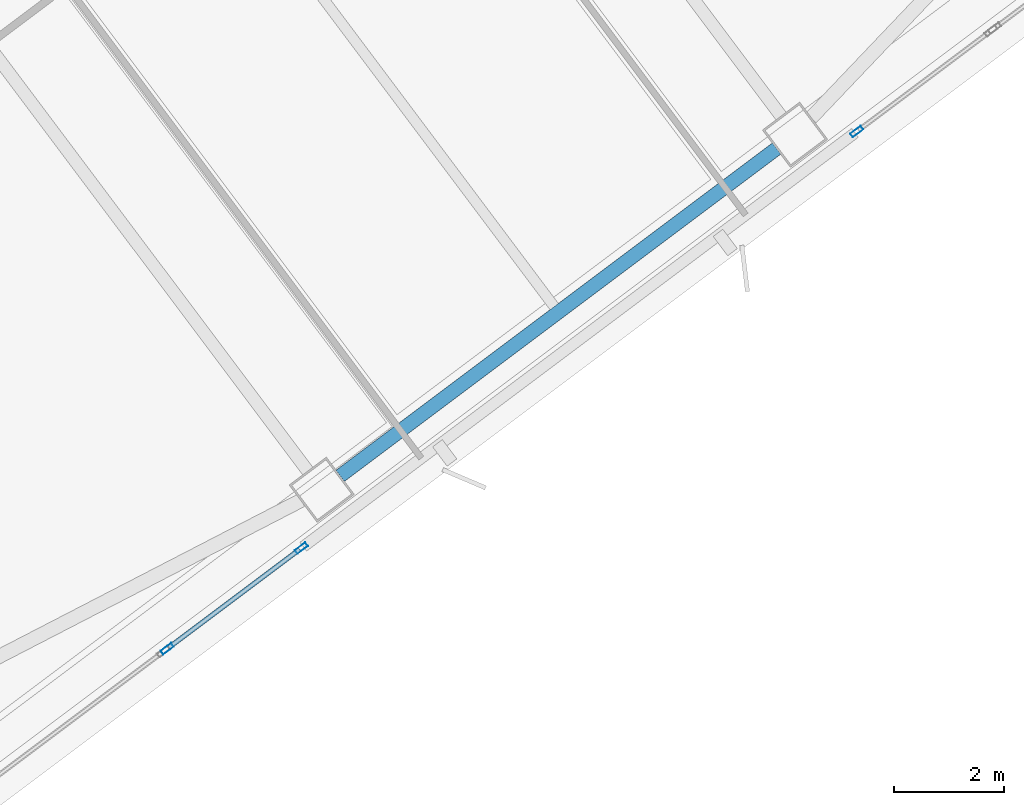
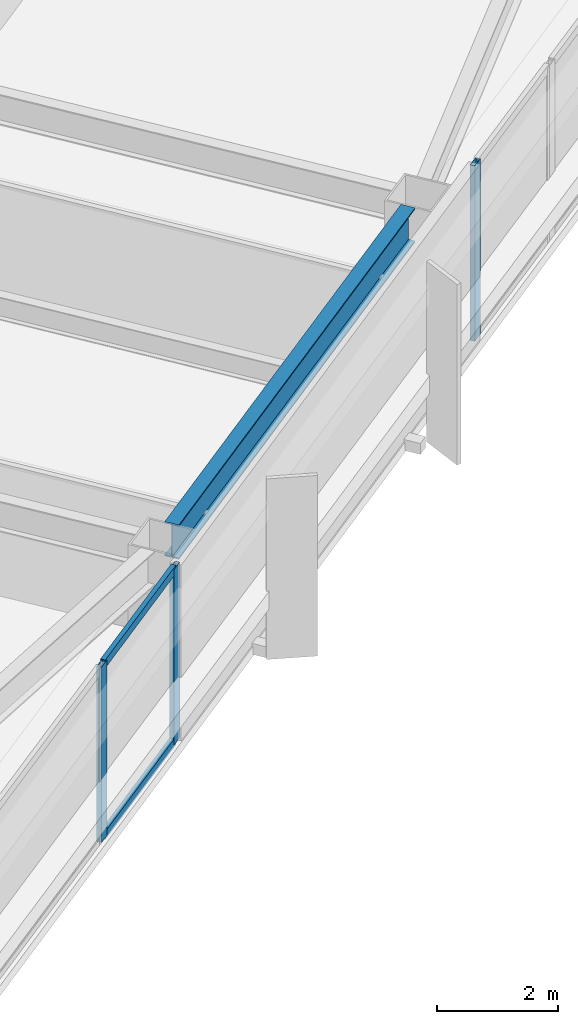
# One storey, part 28 of 62: 5 members, 1 beam, 2 elements without a shape of their own.
"""IFC4 building model written with IfcOpenShell, lengths in metres."""

import ifcopenshell
import ifcopenshell.guid

model = None  # the IFC model being written
_history = None  # IfcOwnerHistory: only IFC2X3 demands one
_inside = {}  # id of a spatial element -> (the spatial element, [elements in it])
_under = {}  # id of a project, library or spatial element -> (it, [spatial elements below it])
_declared = {}  # id of a project -> (the project, [libraries it declares])
_typed = {}  # id of a type object -> (the type object, [elements of that type])
_made_of = {}  # id of a material, layer set ... -> (it, [elements and type objects made of it])


def new_model(schema):
    """Start an empty IFC model of exactly this schema.

    Asked for "IFC4X3", IfcOpenShell would pick the latest addendum, in which some entities
    have other attributes; the version numbers below select the first issue.
    IFC2X3 requires an IfcOwnerHistory on every rooted entity: one is made here for all.
    """
    global model, _history
    if schema == "IFC4X3":
        model = ifcopenshell.file(schema_version=(4, 3, 0, 0))
    else:
        model = ifcopenshell.file(schema=schema)
    _inside.clear()
    _under.clear()
    _declared.clear()
    _typed.clear()
    _made_of.clear()
    _history = None
    if model.schema == "IFC2X3":
        org = make("IfcOrganization", Name="unknown")
        user = make(
            "IfcPersonAndOrganization",
            ThePerson=make("IfcPerson", FamilyName="unknown"),
            TheOrganization=org,
        )
        app = make(
            "IfcApplication",
            ApplicationDeveloper=org,
            Version="unknown",
            ApplicationFullName="unknown",
            ApplicationIdentifier="unknown",
        )
        _history = make(
            "IfcOwnerHistory",
            OwningUser=user,
            OwningApplication=app,
            ChangeAction="ADDED",
            CreationDate=0,
        )
    return model


def make(cls, **values):
    """One entity of the class cls with the attributes given. An attribute that is None is left unset."""
    return model.create_entity(
        cls, **{name: value for name, value in values.items() if value is not None}
    )


def rooted(cls, **values):
    """An entity with a GlobalId (a new one), such as an element, a storey or a relation."""
    return make(cls, GlobalId=ifcopenshell.guid.new(), OwnerHistory=_history, **values)


def si_unit(unit_type, name, prefix=None):
    """IfcSIUnit, for example si_unit("LENGTHUNIT", "METRE", prefix="MILLI")."""
    return make("IfcSIUnit", UnitType=unit_type, Prefix=prefix, Name=name)


def assignment(units):
    """IfcUnitAssignment: the units of a project."""
    return None if units is None else make("IfcUnitAssignment", Units=units)


def point(xyz):
    """IfcCartesianPoint."""
    return None if xyz is None else make("IfcCartesianPoint", Coordinates=xyz)


def direction(xyz):
    """IfcDirection."""
    return None if xyz is None else make("IfcDirection", DirectionRatios=xyz)


def frame(location, z_axis=None, x_axis=None):
    """IfcAxis2Placement3D, a coordinate frame: its origin and axes. An axis left out is left unset."""
    return make(
        "IfcAxis2Placement3D",
        Location=point(location),
        Axis=direction(z_axis),
        RefDirection=direction(x_axis),
    )


def frame_2d(location, x_axis=None):
    """IfcAxis2Placement2D, a coordinate frame in the plane: its origin and x axis."""
    return make(
        "IfcAxis2Placement2D", Location=point(location), RefDirection=direction(x_axis)
    )


def origin():
    """The frame at (0, 0, 0) with its axes left unset."""
    return frame((0.0, 0.0, 0.0))


def origin_2d():
    """The frame at (0, 0) in the plane with its x axis left unset."""
    return frame_2d((0.0, 0.0))


def place(relative_to, where):
    """IfcLocalPlacement: puts the frame where relative to a parent placement (None: the world)."""
    return make(
        "IfcLocalPlacement", PlacementRelTo=relative_to, RelativePlacement=where
    )


def context(
    kind, dimensions, precision=None, world=None, true_north=None, identifier=None
):
    """IfcGeometricRepresentationContext, for example the 3D "Model" context."""
    return make(
        "IfcGeometricRepresentationContext",
        ContextIdentifier=identifier,
        ContextType=kind,
        CoordinateSpaceDimension=dimensions,
        Precision=precision,
        WorldCoordinateSystem=world,
        TrueNorth=true_north,
    )


def subcontext(parent, identifier, kind, view, scale=None):
    """IfcGeometricRepresentationSubContext, for example "Body" below "Model"."""
    return make(
        "IfcGeometricRepresentationSubContext",
        ContextIdentifier=identifier,
        ContextType=kind,
        ParentContext=parent,
        TargetScale=scale,
        TargetView=view,
    )


def project(units=None, contexts=None):
    """IfcProject with its units and contexts."""
    return rooted(
        "IfcProject",
        Name="project",
        RepresentationContexts=contexts,
        UnitsInContext=assignment(units),
    )


def spatial(cls, under=None, at=None, **own):
    """A site, building, storey or space (cls), placed at a placement, below another one or the project."""
    s = rooted(cls, ObjectPlacement=at, **own)
    if under is not None:
        _under.setdefault(under.id(), (under, []))[1].append(s)
    return s


def profile(cls, at=None, kind="AREA", **sizes):
    """A parametric profile (cls). Its sizes go by their IFC names, for example OverallWidth=200.0."""
    return make(cls, ProfileType=kind, Position=at, **sizes)


def hollow_rectangle(**sizes):
    """IfcRectangleHollowProfileDef."""
    return profile("IfcRectangleHollowProfileDef", **sizes)


def i_section(**sizes):
    """IfcIShapeProfileDef."""
    return profile("IfcIShapeProfileDef", **sizes)


def extrude(swept, where, along, depth):
    """IfcExtrudedAreaSolid: the profile swept, set in the frame where, extruded along a direction by depth."""
    return make(
        "IfcExtrudedAreaSolid",
        SweptArea=swept,
        Position=where,
        ExtrudedDirection=direction(along),
        Depth=depth,
    )


def shape(context_of_items, identifier, shape_type, items):
    """IfcShapeRepresentation: the items that make up one representation, for example the "Body"."""
    return make(
        "IfcShapeRepresentation",
        ContextOfItems=context_of_items,
        RepresentationIdentifier=identifier,
        RepresentationType=shape_type,
        Items=items,
    )


def material(Name=None, Category=None):
    """IfcMaterial."""
    return make("IfcMaterial", Name=Name, Category=Category)


def material_profile(
    of_material, cross_section, Name=None, Category=None, Priority=None
):
    """IfcMaterialProfile: a cross section and its material."""
    return make(
        "IfcMaterialProfile",
        Name=Name,
        Material=of_material,
        Profile=cross_section,
        Priority=Priority,
        Category=Category,
    )


def profile_set(profiles, Name=None, composite=None):
    """IfcMaterialProfileSet."""
    return make(
        "IfcMaterialProfileSet",
        Name=Name,
        MaterialProfiles=profiles,
        CompositeProfile=composite,
    )


def made_of(thing, what):
    """Note that an element or type object is made of a material, layer set ...; save() writes the relation."""
    if what is not None:
        _made_of.setdefault(what.id(), (what, []))[1].append(thing)
    return thing


def type_object(cls, material=None, **own):
    """A type object (cls), such as IfcWallType, which elements share."""
    return made_of(rooted(cls, **own), material)


def element(
    cls,
    number,
    at=None,
    inside=None,
    cuts=None,
    type_object=None,
    material=None,
    context=None,
    identifier="Body",
    shape_type=None,
    held_by="IfcProductDefinitionShape",
    body=None,
    shapes=None,
    **own,
):
    """One element of the class cls, such as IfcWall. Its Tag is "e" and its number.

    at: its placement. inside: the storey or other place that contains it. cuts: it is an
    opening in that element (IfcRelVoidsElement). A single representation is given by context,
    identifier, shape_type and body (its items); several are given by shapes. held_by: the class
    of the entity that holds the representations. save() writes the other relations.
    """
    e = rooted(cls, Tag="e%d" % number, ObjectPlacement=at, **own)
    if body is not None:
        shapes = [shape(context, identifier, shape_type, body)]
    if shapes is not None:
        e.Representation = make(held_by, Representations=shapes)
    if inside is not None:
        _inside.setdefault(inside.id(), (inside, []))[1].append(e)
    if cuts is not None:
        rooted(
            "IfcRelVoidsElement", RelatingBuildingElement=cuts, RelatedOpeningElement=e
        )
    if type_object is not None:
        _typed.setdefault(type_object.id(), (type_object, []))[1].append(e)
    return made_of(e, material)


def aggregate(whole, parts):
    """IfcRelAggregates: a whole, such as a stair, and the parts it consists of."""
    return rooted("IfcRelAggregates", RelatingObject=whole, RelatedObjects=parts)


def save(model, path):
    """Write the relations noted so far, then the file.

    IfcRelAggregates (storeys below a building ...), IfcRelContainedInSpatialStructure (elements
    in a storey), IfcRelDefinesByType, IfcRelAssociatesMaterial and IfcRelDeclares: one each for
    every whole, place, type object, material and project.
    """
    for whole, parts in _under.values():
        aggregate(whole, parts)
    for where, things in _inside.values():
        rooted(
            "IfcRelContainedInSpatialStructure",
            RelatedElements=things,
            RelatingStructure=where,
        )
    for kind, things in _typed.values():
        rooted("IfcRelDefinesByType", RelatedObjects=things, RelatingType=kind)
    for what, things in _made_of.values():
        rooted("IfcRelAssociatesMaterial", RelatedObjects=things, RelatingMaterial=what)
    for by, libraries in _declared.values():
        rooted("IfcRelDeclares", RelatingContext=by, RelatedDefinitions=libraries)
    model.write(path)


model = new_model("IFC4")

# Units and contexts
model_context = context("Model", 3, precision=1e-05, world=origin(), true_north=direction((0.0, 1.0)))
body_context = subcontext(model_context, "Body", "Model", "MODEL_VIEW")
ifc_project = project(units=[si_unit("LENGTHUNIT", "METRE"), si_unit("AREAUNIT", "SQUARE_METRE"), si_unit("VOLUMEUNIT", "CUBIC_METRE"), si_unit("PLANEANGLEUNIT", "RADIAN"), si_unit("MASSUNIT", "GRAM", prefix="KILO")], contexts=[model_context])

# Site, building, storey
site_placement = place(None, origin())
site = spatial("IfcSite", under=ifc_project, at=site_placement, CompositionType="ELEMENT")
building_placement = place(site_placement, origin())
building = spatial("IfcBuilding", under=site, at=building_placement, Name="Tashvorn Skyway Center", CompositionType="ELEMENT")
storey_placement = place(building_placement, frame((0.0, 0.0, 28.14990234375)))
storey = spatial("IfcBuildingStorey", under=building, at=storey_placement, Name="L06", CompositionType="ELEMENT", Elevation=28.14990234375)

# Beam
ifc_material_1 = material(Name="Steel ASTM A992 Grade 50", Category="steel")
ifc_material_profile_1 = material_profile(ifc_material_1, i_section(OverallWidth=0.256103515625, OverallDepth=0.693115234375, WebThickness=0.014404296875, FlangeThickness=0.023681640625, at=origin_2d()), Name="W27X114")
ifc_profile_set_1 = profile_set([ifc_material_profile_1], Name="Steel ASTM A992 Grade 50")
beam_type = type_object("IfcBeamType", Name="BM-SPANDREL-W27X114", PredefinedType="SPANDREL", material=ifc_profile_set_1)
beam_placement = place(storey_placement, frame((122.64599609375, 12.172119140625, 3.003662109375), z_axis=(0.800008824351, 0.599988234018, 0.0), x_axis=(-0.599988234018, 0.800008824351, 0.0)))
element("IfcBeam", 1, at=beam_placement, inside=storey, type_object=beam_type, Name="Tower 2 L06 Spandrel Beam 02", PredefinedType="SPANDREL", context=body_context, shape_type="SweptSolid", body=[
    extrude(i_section(OverallWidth=0.256103515625, OverallDepth=0.693115234375, WebThickness=0.014404296875, FlangeThickness=0.023681640625, at=origin_2d()), origin(), (0.0, 0.0, 1.0), 9.9599609375),
])

# Curtain wall, member
ifc_material_2 = material(Name="Thermally broken bronze-anodized aluminium 6063-T6", Category="aluminium")
curtain_wall_type = type_object("IfcCurtainWallType", Name="CW-CW-Z1", PredefinedType="NOTDEFINED", material=ifc_material_2)
curtain_wall_1_placement = place(storey_placement, origin())
curtain_wall_1 = element("IfcCurtainWall", 2, at=curtain_wall_1_placement, inside=storey, type_object=curtain_wall_type, Name="Tower 2 L06 South Unitised Curtain Wall Glazing Group 2", PredefinedType="NOTDEFINED")
ifc_material_profile_2 = material_profile(ifc_material_2, hollow_rectangle(XDim=0.0849609375, YDim=0.239990234375, WallThickness=0.0048828125, at=origin_2d()), Name="ALU-MULL-85x240")
ifc_profile_set_2 = profile_set([ifc_material_profile_2], Name="Thermally broken bronze-anodized aluminium 6063-T6")
member_type_1 = type_object("IfcMemberType", Name="CWM-CW-Z1", PredefinedType="MULLION", material=ifc_profile_set_2)
member_1_placement = place(storey_placement, frame((132.07666015625, 18.45751953125, 0.0), z_axis=(0.0, 0.0, 1.0), x_axis=(0.600005084776, -0.799996186392, 0.0)))
member_1 = element("IfcMember", 3, at=member_1_placement, type_object=member_type_1, Name="CW-Z1 mullion 2", PredefinedType="MULLION", context=body_context, shape_type="SweptSolid", body=[
    extrude(hollow_rectangle(XDim=0.0849609375, YDim=0.239990234375, WallThickness=0.0048828125, at=origin_2d()), origin(), (0.0, 0.0, 1.0), 3.550048828125),
])
aggregate(curtain_wall_1, [member_1])

# Curtain wall, members
curtain_wall_2_placement = place(storey_placement, origin())
curtain_wall_2 = element("IfcCurtainWall", 4, at=curtain_wall_2_placement, inside=storey, type_object=curtain_wall_type, Name="Tower 2 L06 South Unitised Curtain Wall Glazing Group 3", PredefinedType="NOTDEFINED")
member_2_placement = place(storey_placement, frame((121.939208984375, 10.8544921875, 0.0), z_axis=(0.0, 0.0, 1.0), x_axis=(0.600005084776, -0.799996186392, 0.0)))
member_2 = element("IfcMember", 5, at=member_2_placement, type_object=member_type_1, Name="CW-Z1 mullion 1", PredefinedType="MULLION", context=body_context, shape_type="SweptSolid", body=[
    extrude(hollow_rectangle(XDim=0.0849609375, YDim=0.239990234375, WallThickness=0.0048828125, at=origin_2d()), origin(), (0.0, 0.0, 1.0), 3.550048828125),
])
member_3_placement = place(storey_placement, frame((119.489990234375, 9.017578125, 0.0), z_axis=(0.0, 0.0, 1.0), x_axis=(0.600005084776, -0.799996186392, 0.0)))
member_3 = element("IfcMember", 6, at=member_3_placement, type_object=member_type_1, Name="CW-Z1 mullion 2", PredefinedType="MULLION", context=body_context, shape_type="SweptSolid", body=[
    extrude(hollow_rectangle(XDim=0.0849609375, YDim=0.239990234375, WallThickness=0.0048828125, at=origin_2d()), origin(), (0.0, 0.0, 1.0), 3.550048828125),
])
ifc_material_profile_3 = material_profile(ifc_material_2, hollow_rectangle(XDim=0.0849609375, YDim=0.1650390625, WallThickness=0.0048828125, at=origin_2d()), Name="ALU-TRAN-85x165")
ifc_profile_set_3 = profile_set([ifc_material_profile_3], Name="Thermally broken bronze-anodized aluminium 6063-T6")
member_type_2 = type_object("IfcMemberType", Name="CWT-CW-Z1", PredefinedType="USERDEFINED", material=ifc_profile_set_3)
member_4_placement = place(storey_placement, frame((121.9052734375, 10.8291015625, 0.04248046875), z_axis=(-0.799980315822, -0.600026244674, 0.0), x_axis=(0.600026244674, -0.799980315822, 0.0)))
member_4 = element("IfcMember", 7, at=member_4_placement, type_object=member_type_2, Name="CW-Z1 transom 1.1", ObjectType="TRANSOM", PredefinedType="USERDEFINED", context=body_context, shape_type="SweptSolid", body=[
    extrude(hollow_rectangle(XDim=0.0849609375, YDim=0.1650390625, WallThickness=0.0048828125, at=origin_2d()), origin(), (0.0, 0.0, 1.0), 2.976806640625),
])
member_5_placement = place(storey_placement, frame((121.9052734375, 10.8291015625, 3.507568359375), z_axis=(-0.799980315822, -0.600026244674, 0.0), x_axis=(0.600026244674, -0.799980315822, 0.0)))
member_5 = element("IfcMember", 8, at=member_5_placement, type_object=member_type_2, Name="CW-Z1 transom 1.2", ObjectType="TRANSOM", PredefinedType="USERDEFINED", context=body_context, shape_type="SweptSolid", body=[
    extrude(hollow_rectangle(XDim=0.0849609375, YDim=0.1650390625, WallThickness=0.0048828125, at=origin_2d()), origin(), (0.0, 0.0, 1.0), 2.976806640625),
])
aggregate(curtain_wall_2, [member_2, member_3, member_4, member_5])

save(model, "model.ifc")
